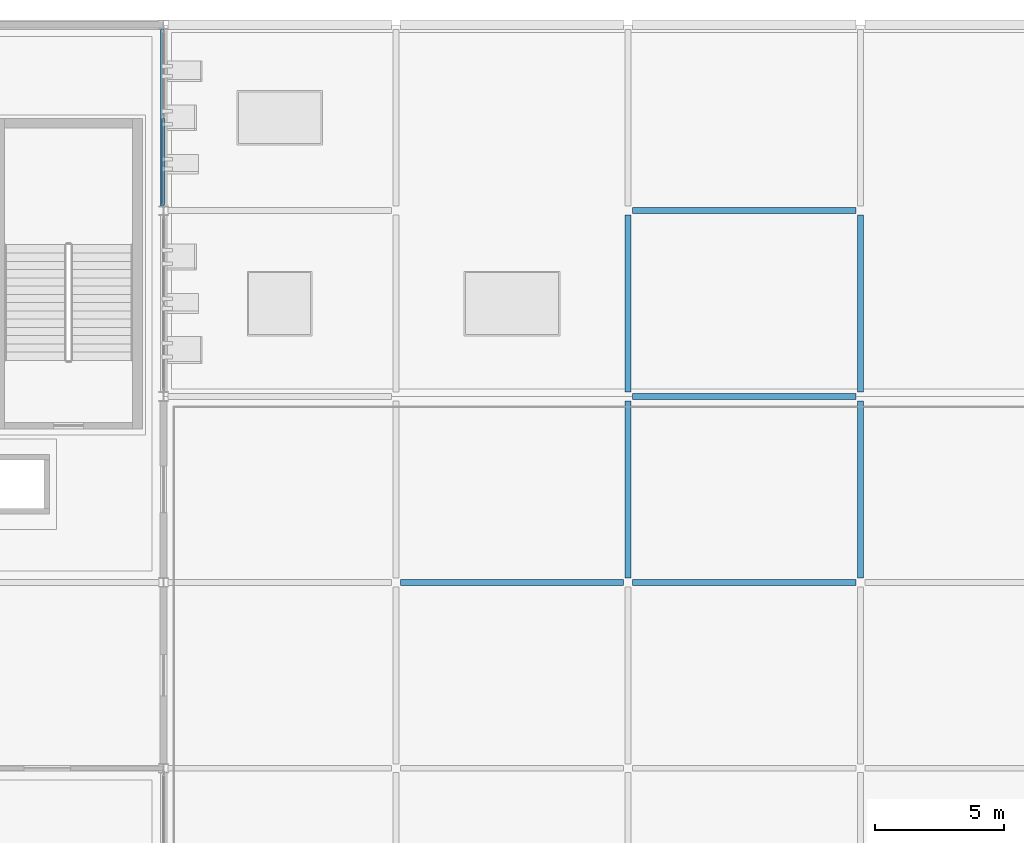
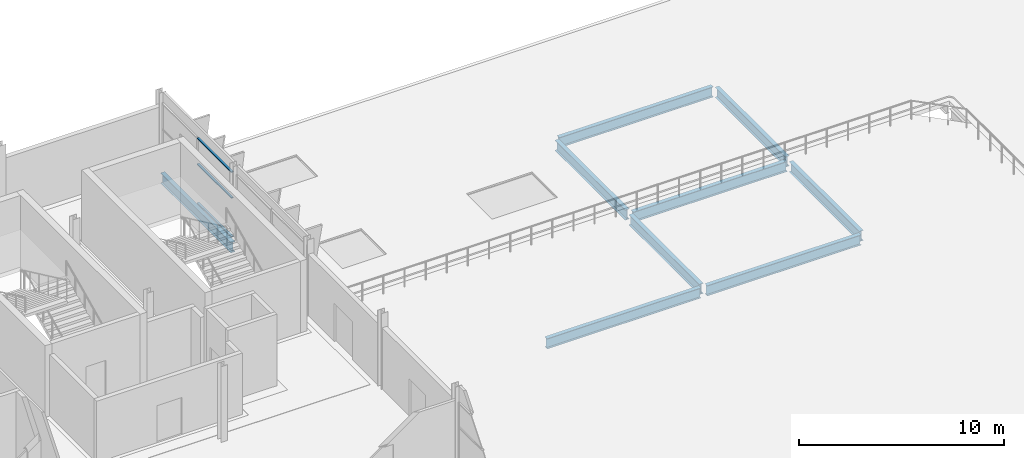
# One storey, part 41 of 78: 9 beams, 3 members, 1 element without a shape of its own.
"""IFC4 building model written with IfcOpenShell, lengths in metres."""

from ifc_helpers import new_model, si_unit, direction, frame, origin, origin_2d, place, context, subcontext, project, spatial, hollow_rectangle, i_section, extrude, material, layer, layer_set, material_profile, profile_set, type_object, element, aggregate, save


model = new_model("IFC4")

# Units and contexts
model_context = context("Model", 3, precision=1e-05, world=origin(), true_north=direction((0.0, 1.0)))
body_context = subcontext(model_context, "Body", "Model", "MODEL_VIEW")
ifc_project = project(units=[si_unit("LENGTHUNIT", "METRE"), si_unit("AREAUNIT", "SQUARE_METRE"), si_unit("VOLUMEUNIT", "CUBIC_METRE"), si_unit("PLANEANGLEUNIT", "RADIAN"), si_unit("MASSUNIT", "GRAM", prefix="KILO")], contexts=[model_context])

# Site, building, storey
site_placement = place(None, origin())
site = spatial("IfcSite", under=ifc_project, at=site_placement, CompositionType="ELEMENT")
building_placement = place(site_placement, origin())
building = spatial("IfcBuilding", under=site, at=building_placement, Name="Celestram Park Convention Centre", CompositionType="ELEMENT")
storey_placement = place(building_placement, frame((0.0, 0.0, 19.800048828125)))
storey = spatial("IfcBuildingStorey", under=building, at=storey_placement, Name="L04", CompositionType="ELEMENT", Elevation=19.800048828125)

# Curtain wall, members
ifc_material_1 = material(Name="Anodised Aluminium Alloy 6063-T6", Category="aluminium")
ifc_layer = layer(ifc_material_1, 0.179931640625)
ifc_layer_set = layer_set([ifc_layer], Name="Anodised Aluminium Alloy 6063-T6")
curtain_wall_type = type_object("IfcCurtainWallType", Name="ARC-CW-685X390", PredefinedType="NOTDEFINED", material=ifc_layer_set)
curtain_wall_placement = place(storey_placement, origin())
curtain_wall = element("IfcCurtainWall", 1, at=curtain_wall_placement, inside=storey, type_object=curtain_wall_type, Name="Unitised curtain wall CU-L04-237", PredefinedType="NOTDEFINED")
ifc_material_profile_1 = material_profile(ifc_material_1, hollow_rectangle(XDim=0.1201171875, YDim=0.06005859375, WallThickness=0.0029296875, at=origin_2d()), Name="ALU120X60X3")
ifc_profile_set_1 = profile_set([ifc_material_profile_1], Name="Anodised Aluminium Alloy 6063-T6")
member_type = type_object("IfcMemberType", Name="ARC-CWT-120", PredefinedType="USERDEFINED", material=ifc_profile_set_1)
member_1_placement = place(storey_placement, frame((99.0, 161.967529296875, 0.030029296875), z_axis=(0.0, -1.0, 0.0), x_axis=(1.0, 0.0, 0.0)))
member_1 = element("IfcMember", 2, at=member_1_placement, type_object=member_type, Name="CW-68X39 transom 2.1", ObjectType="TRANSOM", PredefinedType="USERDEFINED", context=body_context, shape_type="SweptSolid", body=[
    extrude(hollow_rectangle(XDim=0.1201171875, YDim=0.06005859375, WallThickness=0.0029296875, at=origin_2d()), origin(), (0.0, 0.0, 1.0), 3.326416015625),
])
member_2_placement = place(storey_placement, frame((99.0, 161.967529296875, 2.342041015625), z_axis=(0.0, -1.0, 0.0), x_axis=(1.0, 0.0, 0.0)))
member_2 = element("IfcMember", 3, at=member_2_placement, type_object=member_type, Name="CW-68X39 transom 2.2", ObjectType="TRANSOM", PredefinedType="USERDEFINED", context=body_context, shape_type="SweptSolid", body=[
    extrude(hollow_rectangle(XDim=0.1201171875, YDim=0.06005859375, WallThickness=0.0029296875, at=origin_2d()), origin(), (0.0, 0.0, 1.0), 3.326416015625),
])
member_3_placement = place(storey_placement, frame((99.0, 161.967529296875, 3.8740234375), z_axis=(0.0, -1.0, 0.0), x_axis=(1.0, 0.0, 0.0)))
member_3 = element("IfcMember", 4, at=member_3_placement, type_object=member_type, Name="CW-68X39 transom 2.3", ObjectType="TRANSOM", PredefinedType="USERDEFINED", context=body_context, shape_type="SweptSolid", body=[
    extrude(hollow_rectangle(XDim=0.1201171875, YDim=0.06005859375, WallThickness=0.0029296875, at=origin_2d()), origin(), (0.0, 0.0, 1.0), 3.326416015625),
])
aggregate(curtain_wall, [member_1, member_2, member_3])

# Beams
ifc_material_2 = material(Name="Steel ASTM A992 Grade 50", Category="steel")
ifc_material_profile_2 = material_profile(ifc_material_2, i_section(OverallWidth=0.22900390625, OverallDepth=0.612060546875, WebThickness=0.011962890625, FlangeThickness=0.01953125, at=origin_2d()), Name="W24X84")
ifc_profile_set_2 = profile_set([ifc_material_profile_2], Name="Steel ASTM A992 Grade 50")
beam_type = type_object("IfcBeamType", Name="STR-BM-W24X84", PredefinedType="BEAM", material=ifc_profile_set_2)
beam_1_placement = place(storey_placement, frame((99.0, 158.572998046875, -0.55615234375), z_axis=(0.0, 1.0, 0.0), x_axis=(-1.0, 0.0, 0.0)))
element("IfcBeam", 5, at=beam_1_placement, inside=storey, type_object=beam_type, Name="Primary Y-girder BG-L04-0115", PredefinedType="BEAM", context=body_context, shape_type="SweptSolid", body=[
    extrude(i_section(OverallWidth=0.22900390625, OverallDepth=0.612060546875, WebThickness=0.011962890625, FlangeThickness=0.01953125, at=origin_2d()), origin(), (0.0, 0.0, 1.0), 6.85400390625),
])
for number, where, z_axis, x_axis, name in (
    (6, (108.173095703125, 144.0, -0.60595703125), (1.0, 0.0, 0.0), (0.0, 1.0, 0.0), "Primary X-girder BG-L04-0126"),
    (7, (117.173095703125, 144.0, -0.60595703125), (1.0, 0.0, 0.0), (0.0, 1.0, 0.0), "Primary X-girder BG-L04-0140"),
):
    element("IfcBeam", number, at=place(storey_placement, frame(where, z_axis=z_axis, x_axis=x_axis)), inside=storey, type_object=beam_type, Name=name, PredefinedType="BEAM", context=body_context, shape_type="SweptSolid", body=[
        extrude(i_section(OverallWidth=0.22900390625, OverallDepth=0.612060546875, WebThickness=0.011962890625, FlangeThickness=0.01953125, at=origin_2d()), origin(), (0.0, 0.0, 1.0), 8.65380859375),
    ])
beam_2_placement = place(storey_placement, frame((117.0, 144.173095703125, -0.60595703125), z_axis=(0.0, 1.0, 0.0), x_axis=(-1.0, 0.0, 0.0)))
element("IfcBeam", 8, at=beam_2_placement, inside=storey, type_object=beam_type, Name="Primary Y-girder BG-L04-0141", PredefinedType="BEAM", context=body_context, shape_type="SweptSolid", body=[
    extrude(i_section(OverallWidth=0.22900390625, OverallDepth=0.612060546875, WebThickness=0.011962890625, FlangeThickness=0.01953125, at=origin_2d()), origin(), (0.0, 0.0, 1.0), 6.85400390625),
])
beam_3_placement = place(storey_placement, frame((117.173095703125, 151.199951171875, -0.60595703125), z_axis=(1.0, 0.0, 0.0), x_axis=(0.0, 1.0, 0.0)))
element("IfcBeam", 9, at=beam_3_placement, inside=storey, type_object=beam_type, Name="Primary X-girder BG-L04-0142", PredefinedType="BEAM", context=body_context, shape_type="SweptSolid", body=[
    extrude(i_section(OverallWidth=0.22900390625, OverallDepth=0.612060546875, WebThickness=0.011962890625, FlangeThickness=0.01953125, at=origin_2d()), origin(), (0.0, 0.0, 1.0), 8.65380859375),
])
beam_4_placement = place(storey_placement, frame((117.0, 151.373046875, -0.546142578125), z_axis=(0.0, 1.0, 0.0), x_axis=(-1.0, 0.0, 0.0)))
element("IfcBeam", 10, at=beam_4_placement, inside=storey, type_object=beam_type, Name="Primary Y-girder BG-L04-0143", PredefinedType="BEAM", context=body_context, shape_type="SweptSolid", body=[
    extrude(i_section(OverallWidth=0.22900390625, OverallDepth=0.612060546875, WebThickness=0.011962890625, FlangeThickness=0.01953125, at=origin_2d()), origin(), (0.0, 0.0, 1.0), 6.85400390625),
])
beam_5_placement = place(storey_placement, frame((117.173095703125, 158.39990234375, -0.546142578125), z_axis=(1.0, 0.0, 0.0), x_axis=(0.0, 1.0, 0.0)))
element("IfcBeam", 11, at=beam_5_placement, inside=storey, type_object=beam_type, Name="Primary X-girder BG-L04-0144", PredefinedType="BEAM", context=body_context, shape_type="SweptSolid", body=[
    extrude(i_section(OverallWidth=0.22900390625, OverallDepth=0.612060546875, WebThickness=0.011962890625, FlangeThickness=0.01953125, at=origin_2d()), origin(), (0.0, 0.0, 1.0), 8.65380859375),
])
for number, where, z_axis, x_axis, name in (
    (12, (126.0, 144.173095703125, -0.60595703125), (0.0, 1.0, 0.0), (-1.0, 0.0, 0.0), "Primary Y-girder BG-L04-0173"),
    (13, (126.0, 151.373046875, -0.546142578125), (0.0, 1.0, 0.0), (-1.0, 0.0, 0.0), "Primary Y-girder BG-L04-0174"),
):
    element("IfcBeam", number, at=place(storey_placement, frame(where, z_axis=z_axis, x_axis=x_axis)), inside=storey, type_object=beam_type, Name=name, PredefinedType="BEAM", context=body_context, shape_type="SweptSolid", body=[
        extrude(i_section(OverallWidth=0.22900390625, OverallDepth=0.612060546875, WebThickness=0.011962890625, FlangeThickness=0.01953125, at=origin_2d()), origin(), (0.0, 0.0, 1.0), 6.85400390625),
    ])

save(model, "model.ifc")
